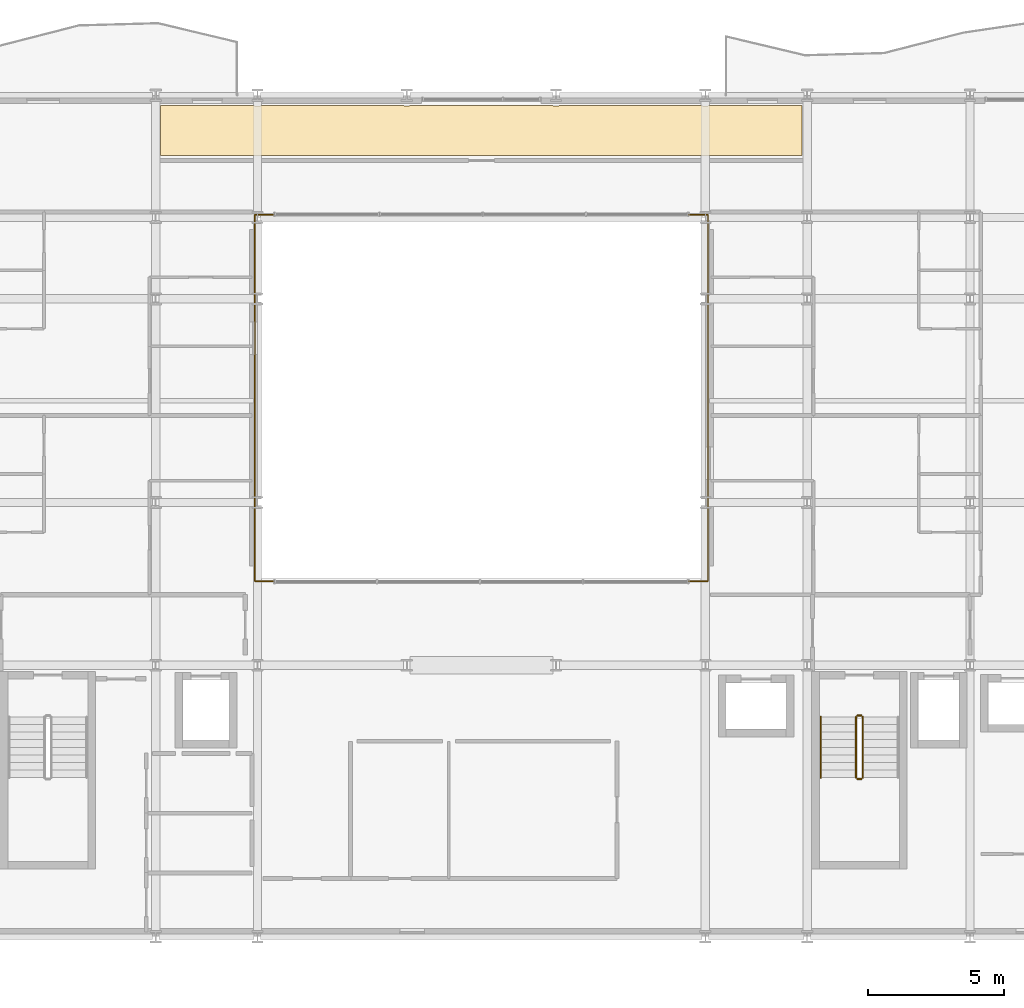
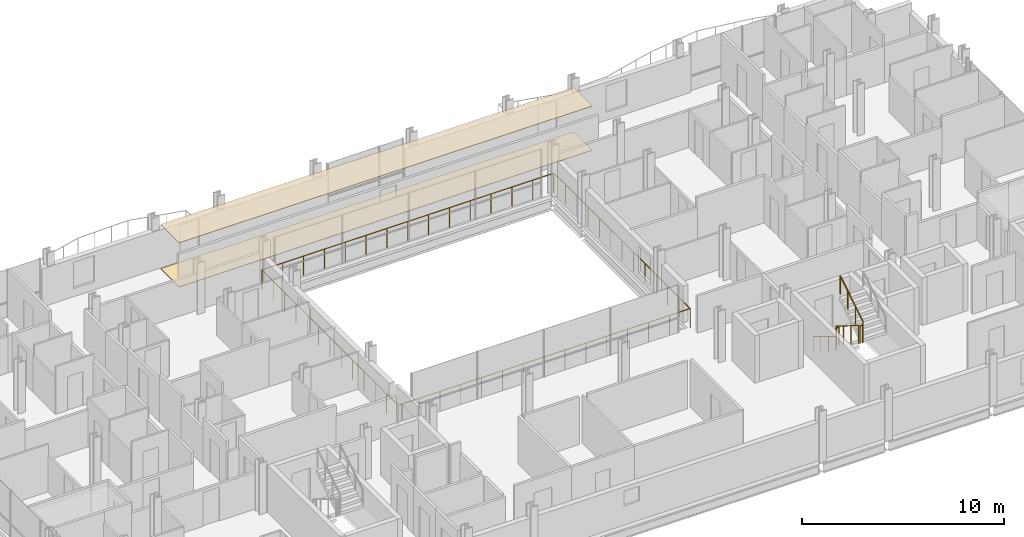
# One storey, part 39 of 40: 7 railings, 2 coverings.
"""IFC4 building model written with IfcOpenShell, lengths in metres."""

from ifc_helpers import new_model, si_unit, direction, frame, origin, origin_2d, place, context, subcontext, project, spatial, polyline, circle, outline, extrude, material, layer, layer_set, type_object, element, save


model = new_model("IFC4")

# Units and contexts
model_context = context("Model", 3, precision=1e-05, world=origin(), true_north=direction((0.0, 1.0)))
body_context = subcontext(model_context, "Body", "Model", "MODEL_VIEW")
ifc_project = project(units=[si_unit("LENGTHUNIT", "METRE"), si_unit("AREAUNIT", "SQUARE_METRE"), si_unit("VOLUMEUNIT", "CUBIC_METRE"), si_unit("PLANEANGLEUNIT", "RADIAN"), si_unit("MASSUNIT", "GRAM", prefix="KILO")], contexts=[model_context])

# Site, building, storey
site_placement = place(None, origin())
site = spatial("IfcSite", under=ifc_project, at=site_placement, CompositionType="ELEMENT")
building_placement = place(site_placement, origin())
building = spatial("IfcBuilding", under=site, at=building_placement, Name="Brevholm Reach", CompositionType="ELEMENT")
storey_placement = place(building_placement, frame((0.0, 0.0, 80.699951171875)))
storey = spatial("IfcBuildingStorey", under=building, at=storey_placement, Name="L23", CompositionType="ELEMENT", Elevation=80.699951171875)

# Coverings
ifc_material_1 = material(Name="Moisture-Resistant Skimmed Gypsum Plasterboard Ceiling", Category="gypsum")
ifc_layer_1 = layer(ifc_material_1, 0.030029296875)
ifc_layer_set_1 = layer_set([ifc_layer_1], Name="Moisture-Resistant Skimmed Gypsum Plasterboard Ceiling")
covering_type_1 = type_object("IfcCoveringType", Name="COV-CLG-GYP", PredefinedType="CEILING", material=ifc_layer_set_1)
covering_1_placement = place(storey_placement, frame((0.0, 0.0, 2.670166015625)))
element("IfcCovering", 1, at=covering_1_placement, inside=storey, type_object=covering_type_1, Name="L23 Suspended Ceiling L23-81", PredefinedType="CEILING", context=body_context, shape_type="SweptSolid", body=[
    extrude(outline(polyline([(18.179931640625, 30.6201171875), (21.626220703125, 30.6201171875), (21.6337890625, 30.6171875), (21.672119140625, 30.607666015625), (21.710693359375, 30.601806640625), (21.75, 30.60009765625), (21.789306640625, 30.601806640625), (21.827880859375, 30.607666015625), (21.8662109375, 30.6171875), (21.873779296875, 30.6201171875), (27.126220703125, 30.6201171875), (27.1337890625, 30.6171875), (27.172119140625, 30.607666015625), (27.210693359375, 30.601806640625), (27.25, 30.60009765625), (27.289306640625, 30.601806640625), (27.327880859375, 30.607666015625), (27.3662109375, 30.6171875), (27.373779296875, 30.6201171875), (32.626220703125, 30.6201171875), (32.6337890625, 30.6171875), (32.672119140625, 30.607666015625), (32.710693359375, 30.601806640625), (32.75, 30.60009765625), (32.789306640625, 30.601806640625), (32.827880859375, 30.607666015625), (32.8662109375, 30.6171875), (32.873779296875, 30.6201171875), (38.126220703125, 30.6201171875), (38.1337890625, 30.6171875), (38.172119140625, 30.607666015625), (38.210693359375, 30.601806640625), (38.25, 30.60009765625), (38.289306640625, 30.601806640625), (38.327880859375, 30.607666015625), (38.3662109375, 30.6171875), (38.373779296875, 30.6201171875), (41.820068359375, 30.6201171875), (41.820068359375, 28.783935546875), (18.179931640625, 28.783935546875), (18.179931640625, 30.6201171875)])), origin(), (0.0, 0.0, 1.0), 0.02978515625),
])
ifc_material_2 = material(Name="Honed Portland-Aggregate Resin Terrazzo Flooring", Category="concrete")
ifc_layer_2 = layer(ifc_material_2, 0.031982421875)
ifc_layer_set_2 = layer_set([ifc_layer_2], Name="Honed Portland-Aggregate Resin Terrazzo Flooring")
covering_type_2 = type_object("IfcCoveringType", Name="COV-FLR-TRZ", PredefinedType="FLOORING", material=ifc_layer_set_2)
covering_2_placement = place(storey_placement, origin())
element("IfcCovering", 2, at=covering_2_placement, inside=storey, type_object=covering_type_2, Name="L23 Floor Finish L23-81", PredefinedType="FLOORING", context=body_context, shape_type="SweptSolid", body=[
    extrude(outline(polyline([(18.179931640625, 30.6201171875), (21.626220703125, 30.6201171875), (21.6337890625, 30.6171875), (21.672119140625, 30.607666015625), (21.710693359375, 30.601806640625), (21.75, 30.60009765625), (21.789306640625, 30.601806640625), (21.827880859375, 30.607666015625), (21.8662109375, 30.6171875), (21.873779296875, 30.6201171875), (27.126220703125, 30.6201171875), (27.1337890625, 30.6171875), (27.172119140625, 30.607666015625), (27.210693359375, 30.601806640625), (27.25, 30.60009765625), (27.289306640625, 30.601806640625), (27.327880859375, 30.607666015625), (27.3662109375, 30.6171875), (27.373779296875, 30.6201171875), (32.626220703125, 30.6201171875), (32.6337890625, 30.6171875), (32.672119140625, 30.607666015625), (32.710693359375, 30.601806640625), (32.75, 30.60009765625), (32.789306640625, 30.601806640625), (32.827880859375, 30.607666015625), (32.8662109375, 30.6171875), (32.873779296875, 30.6201171875), (38.126220703125, 30.6201171875), (38.1337890625, 30.6171875), (38.172119140625, 30.607666015625), (38.210693359375, 30.601806640625), (38.25, 30.60009765625), (38.289306640625, 30.601806640625), (38.327880859375, 30.607666015625), (38.3662109375, 30.6171875), (38.373779296875, 30.6201171875), (41.820068359375, 30.6201171875), (41.820068359375, 28.783935546875), (18.179931640625, 28.783935546875), (18.179931640625, 30.6201171875)])), origin(), (0.0, 0.0, 1.0), 0.031982421875),
])

# Railings
ifc_material_3 = material(Name="Brushed Stainless Steel EN 1.4401 Continuous Handrail", Category="steel")
railing_type_1 = type_object("IfcRailingType", Name="RAL-HND-950", PredefinedType="HANDRAIL", material=ifc_material_3)
railing_1_placement = place(storey_placement, frame((42.5, 8.10009765625, 0.17236328125)))
element("IfcRailing", 3, at=railing_1_placement, inside=storey, type_object=railing_type_1, Name="L23 ST-2 stair handrail 1", PredefinedType="HANDRAIL", context=body_context, shape_type="SweptSolid", body=[
    extrude(circle(Radius=0.02392578125, at=origin_2d()), frame((0.0, 0.0, 0.8857421875), z_axis=(0.0, -0.85178898068, 0.523885037382), x_axis=(1.0, 0.0, 0.0)), (0.0, 0.0, 1.0), 2.629638671875),
    extrude(circle(Radius=0.02099609375, at=origin_2d()), origin(), (0.0, 0.0, 1.0), 0.86181640625),
    extrude(circle(Radius=0.02099609375, at=origin_2d()), frame((0.0, -0.74658203125, 0.459228515625)), (0.0, 0.0, 1.0), 0.86181640625),
    extrude(circle(Radius=0.02099609375, at=origin_2d()), frame((0.0, -1.493408203125, 0.91845703125)), (0.0, 0.0, 1.0), 0.86181640625),
    extrude(circle(Radius=0.02099609375, at=origin_2d()), frame((0.0, -2.239990234375, 1.377685546875)), (0.0, 0.0, 1.0), 0.86181640625),
])
ifc_material_4 = material(Name="Painted Tubular Galvanised Steel S275JR Stair Guard", Category="steel")
railing_type_2 = type_object("IfcRailingType", Name="RAL-STG-1120", PredefinedType="BALUSTRADE", material=ifc_material_4)
railing_2_placement = place(storey_placement, frame((43.800048828125, 8.10009765625, 0.17236328125)))
element("IfcRailing", 4, at=railing_2_placement, inside=storey, type_object=railing_type_2, Name="L23 ST-2 stair guard 1", PredefinedType="BALUSTRADE", context=body_context, shape_type="SweptSolid", body=[
    extrude(circle(Radius=0.02392578125, at=origin_2d()), frame((0.0, 0.0, 1.076171875), z_axis=(0.0, -0.85178898068, 0.523885037382), x_axis=(1.0, 0.0, 0.0)), (0.0, 0.0, 1.0), 2.629638671875),
    extrude(circle(Radius=0.02099609375, at=origin_2d()), origin(), (0.0, 0.0, 1.0), 1.052001953125),
    extrude(circle(Radius=0.02099609375, at=origin_2d()), frame((0.0, -0.74658203125, 0.459228515625)), (0.0, 0.0, 1.0), 1.052001953125),
    extrude(circle(Radius=0.02099609375, at=origin_2d()), frame((0.0, -1.493408203125, 0.91845703125)), (0.0, 0.0, 1.0), 1.052001953125),
    extrude(circle(Radius=0.02099609375, at=origin_2d()), frame((0.0, -2.239990234375, 1.377685546875)), (0.0, 0.0, 1.0), 1.052001953125),
])
railing_3_placement = place(storey_placement, frame((43.85009765625, 5.81005859375, 1.550048828125)))
element("IfcRailing", 5, at=railing_3_placement, inside=storey, type_object=railing_type_2, Name="L23 ST-2 stair guard 2", PredefinedType="BALUSTRADE", context=body_context, shape_type="SweptSolid", body=[
    extrude(circle(Radius=0.02392578125, at=origin_2d()), frame((0.0, 0.0, 1.076171875), z_axis=(1.0, 0.0, 0.0), x_axis=(0.0, 1.0, 0.0)), (0.0, 0.0, 1.0), 0.14990234375),
    extrude(circle(Radius=0.02099609375, at=origin_2d()), origin(), (0.0, 0.0, 1.0), 1.052001953125),
    extrude(circle(Radius=0.02099609375, at=origin_2d()), frame((0.14990234375, 0.0, 0.0)), (0.0, 0.0, 1.0), 1.052001953125),
])
railing_4_placement = place(storey_placement, frame((44.050048828125, 5.860107421875, 1.72216796875)))
element("IfcRailing", 6, at=railing_4_placement, inside=storey, type_object=railing_type_2, Name="L23 ST-2 stair guard 3", PredefinedType="BALUSTRADE", context=body_context, shape_type="SweptSolid", body=[
    extrude(circle(Radius=0.02392578125, at=origin_2d()), frame((0.0, 0.0, 1.076171875), z_axis=(0.0, 0.851747552033, 0.523952390591), x_axis=(-1.0, 0.0, 0.0)), (0.0, 0.0, 1.0), 2.6298828125),
    extrude(circle(Radius=0.02099609375, at=origin_2d()), origin(), (0.0, 0.0, 1.0), 1.052001953125),
    extrude(circle(Radius=0.02099609375, at=origin_2d()), frame((0.0, 0.74658203125, 0.459228515625)), (0.0, 0.0, 1.0), 1.052001953125),
    extrude(circle(Radius=0.02099609375, at=origin_2d()), frame((0.0, 1.493408203125, 0.918701171875)), (0.0, 0.0, 1.0), 1.052001953125),
    extrude(circle(Radius=0.02099609375, at=origin_2d()), frame((0.0, 2.239990234375, 1.3779296875)), (0.0, 0.0, 1.0), 1.052001953125),
])
railing_5_placement = place(storey_placement, frame((43.85009765625, 8.14990234375, 0.0)))
element("IfcRailing", 7, at=railing_5_placement, inside=storey, type_object=railing_type_2, Name="L23 ST-2 stair guard 4", PredefinedType="BALUSTRADE", context=body_context, shape_type="SweptSolid", body=[
    extrude(circle(Radius=0.02392578125, at=origin_2d()), frame((0.0, 0.0, 1.076171875), z_axis=(1.0, 0.0, 0.0), x_axis=(0.0, 1.0, 0.0)), (0.0, 0.0, 1.0), 0.14990234375),
    extrude(circle(Radius=0.02099609375, at=origin_2d()), origin(), (0.0, 0.0, 1.0), 1.052001953125),
    extrude(circle(Radius=0.02099609375, at=origin_2d()), frame((0.14990234375, 0.0, 0.0)), (0.0, 0.0, 1.0), 1.052001953125),
])
ifc_material_5 = material(Name="Brushed Stainless Steel EN 1.4401 and Laminated Glass", Category="steel")
railing_type_3 = type_object("IfcRailingType", Name="RAL-TERR-1200", PredefinedType="BALUSTRADE", material=ifc_material_5)
railing_6_placement = place(storey_placement, frame((21.64990234375, 13.10009765625, 0.0)))
element("IfcRailing", 8, at=railing_6_placement, inside=storey, type_object=railing_type_3, Name="L23 Guard Balustrade RAL-L23-AT-VOID-SW", PredefinedType="BALUSTRADE", context=body_context, shape_type="SweptSolid", body=[
    extrude(circle(Radius=0.02392578125, at=origin_2d()), frame((0.0, 0.0, 1.17578125), z_axis=(1.0, 0.0, 0.0), x_axis=(0.0, 1.0, 0.0)), (0.0, 0.0, 1.0), 16.7001953125),
    extrude(circle(Radius=0.02392578125, at=origin_2d()), frame((16.7001953125, 0.0, 1.17578125), z_axis=(0.0, 1.0, 0.0), x_axis=(-1.0, 0.0, 0.0)), (0.0, 0.0, 1.0), 13.47998046875),
    extrude(circle(Radius=0.02099609375, at=origin_2d()), origin(), (0.0, 0.0, 1.0), 1.15185546875),
    extrude(circle(Radius=0.02099609375, at=origin_2d()), frame((1.19287109375, 0.0, 0.0)), (0.0, 0.0, 1.0), 1.15185546875),
    extrude(circle(Radius=0.02099609375, at=origin_2d()), frame((2.3857421875, 0.0, 0.0)), (0.0, 0.0, 1.0), 1.15185546875),
    extrude(circle(Radius=0.02099609375, at=origin_2d()), frame((3.57861328125, 0.0, 0.0)), (0.0, 0.0, 1.0), 1.15185546875),
    extrude(circle(Radius=0.02099609375, at=origin_2d()), frame((4.771484375, 0.0, 0.0)), (0.0, 0.0, 1.0), 1.15185546875),
    extrude(circle(Radius=0.02099609375, at=origin_2d()), frame((5.96435546875, 0.0, 0.0)), (0.0, 0.0, 1.0), 1.15185546875),
    extrude(circle(Radius=0.02099609375, at=origin_2d()), frame((7.1572265625, 0.0, 0.0)), (0.0, 0.0, 1.0), 1.15185546875),
    extrude(circle(Radius=0.02099609375, at=origin_2d()), frame((8.35009765625, 0.0, 0.0)), (0.0, 0.0, 1.0), 1.15185546875),
    extrude(circle(Radius=0.02099609375, at=origin_2d()), frame((9.54296875, 0.0, 0.0)), (0.0, 0.0, 1.0), 1.15185546875),
    extrude(circle(Radius=0.02099609375, at=origin_2d()), frame((10.73583984375, 0.0, 0.0)), (0.0, 0.0, 1.0), 1.15185546875),
    extrude(circle(Radius=0.02099609375, at=origin_2d()), frame((11.9287109375, 0.0, 0.0)), (0.0, 0.0, 1.0), 1.15185546875),
    extrude(circle(Radius=0.02099609375, at=origin_2d()), frame((13.12158203125, 0.0, 0.0)), (0.0, 0.0, 1.0), 1.15185546875),
    extrude(circle(Radius=0.02099609375, at=origin_2d()), frame((14.314453125, 0.0, 0.0)), (0.0, 0.0, 1.0), 1.15185546875),
    extrude(circle(Radius=0.02099609375, at=origin_2d()), frame((15.50732421875, 0.0, 0.0)), (0.0, 0.0, 1.0), 1.15185546875),
    extrude(circle(Radius=0.02099609375, at=origin_2d()), frame((16.7001953125, 0.0, 0.0)), (0.0, 0.0, 1.0), 1.15185546875),
    extrude(circle(Radius=0.02099609375, at=origin_2d()), frame((16.7001953125, 1.123291015625, 0.0)), (0.0, 0.0, 1.0), 1.15185546875),
    extrude(circle(Radius=0.02099609375, at=origin_2d()), frame((16.7001953125, 2.24658203125, 0.0)), (0.0, 0.0, 1.0), 1.15185546875),
    extrude(circle(Radius=0.02099609375, at=origin_2d()), frame((16.7001953125, 3.3701171875, 0.0)), (0.0, 0.0, 1.0), 1.15185546875),
    extrude(circle(Radius=0.02099609375, at=origin_2d()), frame((16.7001953125, 4.493408203125, 0.0)), (0.0, 0.0, 1.0), 1.15185546875),
    extrude(circle(Radius=0.02099609375, at=origin_2d()), frame((16.7001953125, 5.61669921875, 0.0)), (0.0, 0.0, 1.0), 1.15185546875),
    extrude(circle(Radius=0.02099609375, at=origin_2d()), frame((16.7001953125, 6.739990234375, 0.0)), (0.0, 0.0, 1.0), 1.15185546875),
    extrude(circle(Radius=0.02099609375, at=origin_2d()), frame((16.7001953125, 7.86328125, 0.0)), (0.0, 0.0, 1.0), 1.15185546875),
    extrude(circle(Radius=0.02099609375, at=origin_2d()), frame((16.7001953125, 8.986572265625, 0.0)), (0.0, 0.0, 1.0), 1.15185546875),
    extrude(circle(Radius=0.02099609375, at=origin_2d()), frame((16.7001953125, 10.10986328125, 0.0)), (0.0, 0.0, 1.0), 1.15185546875),
    extrude(circle(Radius=0.02099609375, at=origin_2d()), frame((16.7001953125, 11.2333984375, 0.0)), (0.0, 0.0, 1.0), 1.15185546875),
    extrude(circle(Radius=0.02099609375, at=origin_2d()), frame((16.7001953125, 12.356689453125, 0.0)), (0.0, 0.0, 1.0), 1.15185546875),
    extrude(circle(Radius=0.02099609375, at=origin_2d()), frame((16.7001953125, 13.47998046875, 0.0)), (0.0, 0.0, 1.0), 1.15185546875),
])
railing_7_placement = place(storey_placement, frame((38.330078125, 26.60009765625, 0.0)))
element("IfcRailing", 9, at=railing_7_placement, inside=storey, type_object=railing_type_3, Name="L23 Guard Balustrade RAL-L23-AT-VOID-NE", PredefinedType="BALUSTRADE", context=body_context, shape_type="SweptSolid", body=[
    extrude(circle(Radius=0.02392578125, at=origin_2d()), frame((0.0, 0.0, 1.17578125), z_axis=(-1.0, 0.0, 0.0), x_axis=(0.0, -1.0, 0.0)), (0.0, 0.0, 1.0), 16.68017578125),
    extrude(circle(Radius=0.02392578125, at=origin_2d()), frame((-16.68017578125, 0.0, 1.17578125), z_axis=(0.0, -1.0, 0.0), x_axis=(1.0, 0.0, 0.0)), (0.0, 0.0, 1.0), 13.47998046875),
    extrude(circle(Radius=0.02099609375, at=origin_2d()), origin(), (0.0, 0.0, 1.0), 1.15185546875),
    extrude(circle(Radius=0.02099609375, at=origin_2d()), frame((-1.19140625, 0.0, 0.0)), (0.0, 0.0, 1.0), 1.15185546875),
    extrude(circle(Radius=0.02099609375, at=origin_2d()), frame((-2.3828125, 0.0, 0.0)), (0.0, 0.0, 1.0), 1.15185546875),
    extrude(circle(Radius=0.02099609375, at=origin_2d()), frame((-3.57421875, 0.0, 0.0)), (0.0, 0.0, 1.0), 1.15185546875),
    extrude(circle(Radius=0.02099609375, at=origin_2d()), frame((-4.765869140625, 0.0, 0.0)), (0.0, 0.0, 1.0), 1.15185546875),
    extrude(circle(Radius=0.02099609375, at=origin_2d()), frame((-5.957275390625, 0.0, 0.0)), (0.0, 0.0, 1.0), 1.15185546875),
    extrude(circle(Radius=0.02099609375, at=origin_2d()), frame((-7.148681640625, 0.0, 0.0)), (0.0, 0.0, 1.0), 1.15185546875),
    extrude(circle(Radius=0.02099609375, at=origin_2d()), frame((-8.340087890625, 0.0, 0.0)), (0.0, 0.0, 1.0), 1.15185546875),
    extrude(circle(Radius=0.02099609375, at=origin_2d()), frame((-9.531494140625, 0.0, 0.0)), (0.0, 0.0, 1.0), 1.15185546875),
    extrude(circle(Radius=0.02099609375, at=origin_2d()), frame((-10.722900390625, 0.0, 0.0)), (0.0, 0.0, 1.0), 1.15185546875),
    extrude(circle(Radius=0.02099609375, at=origin_2d()), frame((-11.914306640625, 0.0, 0.0)), (0.0, 0.0, 1.0), 1.15185546875),
    extrude(circle(Radius=0.02099609375, at=origin_2d()), frame((-13.10595703125, 0.0, 0.0)), (0.0, 0.0, 1.0), 1.15185546875),
    extrude(circle(Radius=0.02099609375, at=origin_2d()), frame((-14.29736328125, 0.0, 0.0)), (0.0, 0.0, 1.0), 1.15185546875),
    extrude(circle(Radius=0.02099609375, at=origin_2d()), frame((-15.48876953125, 0.0, 0.0)), (0.0, 0.0, 1.0), 1.15185546875),
    extrude(circle(Radius=0.02099609375, at=origin_2d()), frame((-16.68017578125, 0.0, 0.0)), (0.0, 0.0, 1.0), 1.15185546875),
    extrude(circle(Radius=0.02099609375, at=origin_2d()), frame((-16.68017578125, -1.123291015625, 0.0)), (0.0, 0.0, 1.0), 1.15185546875),
    extrude(circle(Radius=0.02099609375, at=origin_2d()), frame((-16.68017578125, -2.24658203125, 0.0)), (0.0, 0.0, 1.0), 1.15185546875),
    extrude(circle(Radius=0.02099609375, at=origin_2d()), frame((-16.68017578125, -3.3701171875, 0.0)), (0.0, 0.0, 1.0), 1.15185546875),
    extrude(circle(Radius=0.02099609375, at=origin_2d()), frame((-16.68017578125, -4.493408203125, 0.0)), (0.0, 0.0, 1.0), 1.15185546875),
    extrude(circle(Radius=0.02099609375, at=origin_2d()), frame((-16.68017578125, -5.61669921875, 0.0)), (0.0, 0.0, 1.0), 1.15185546875),
    extrude(circle(Radius=0.02099609375, at=origin_2d()), frame((-16.68017578125, -6.739990234375, 0.0)), (0.0, 0.0, 1.0), 1.15185546875),
    extrude(circle(Radius=0.02099609375, at=origin_2d()), frame((-16.68017578125, -7.86328125, 0.0)), (0.0, 0.0, 1.0), 1.15185546875),
    extrude(circle(Radius=0.02099609375, at=origin_2d()), frame((-16.68017578125, -8.986572265625, 0.0)), (0.0, 0.0, 1.0), 1.15185546875),
    extrude(circle(Radius=0.02099609375, at=origin_2d()), frame((-16.68017578125, -10.10986328125, 0.0)), (0.0, 0.0, 1.0), 1.15185546875),
    extrude(circle(Radius=0.02099609375, at=origin_2d()), frame((-16.68017578125, -11.2333984375, 0.0)), (0.0, 0.0, 1.0), 1.15185546875),
    extrude(circle(Radius=0.02099609375, at=origin_2d()), frame((-16.68017578125, -12.356689453125, 0.0)), (0.0, 0.0, 1.0), 1.15185546875),
    extrude(circle(Radius=0.02099609375, at=origin_2d()), frame((-16.68017578125, -13.47998046875, 0.0)), (0.0, 0.0, 1.0), 1.15185546875),
])

save(model, "model.ifc")
